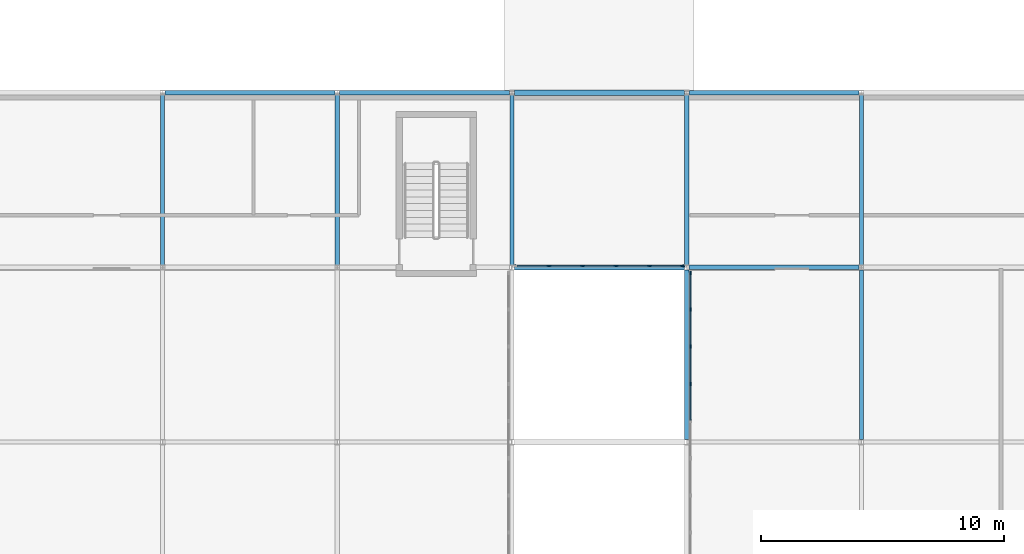
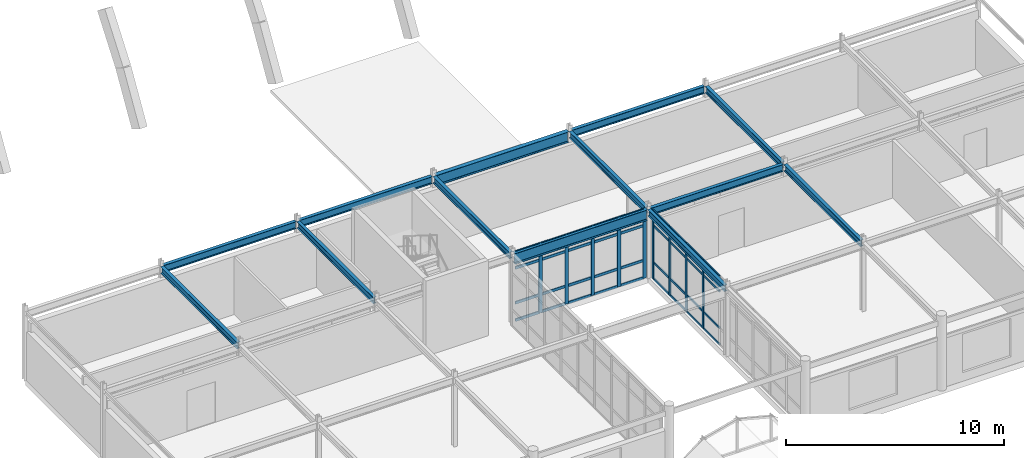
# One storey, part 23 of 85: 45 members, 13 beams, 2 elements without a shape of their own.
"""IFC4 building model written with IfcOpenShell, lengths in metres."""

from ifc_helpers import new_model, si_unit, direction, frame, origin, origin_2d, place, context, subcontext, project, spatial, rectangle, i_section, extrude, material, layer, layer_set, material_profile, profile_set, type_object, element, aggregate, save


model = new_model("IFC4")

# Units and contexts
model_context = context("Model", 3, precision=1e-05, world=origin(), true_north=direction((0.0, 1.0)))
body_context = subcontext(model_context, "Body", "Model", "MODEL_VIEW")
ifc_project = project(units=[si_unit("LENGTHUNIT", "METRE"), si_unit("AREAUNIT", "SQUARE_METRE"), si_unit("VOLUMEUNIT", "CUBIC_METRE"), si_unit("PLANEANGLEUNIT", "RADIAN"), si_unit("MASSUNIT", "GRAM", prefix="KILO")], contexts=[model_context])

# Site, building, storey
site_placement = place(None, origin())
site = spatial("IfcSite", under=ifc_project, at=site_placement, CompositionType="ELEMENT")
building_placement = place(site_placement, origin())
building = spatial("IfcBuilding", under=site, at=building_placement, Name="Ochrevale Crest", CompositionType="ELEMENT")
storey_placement = place(building_placement, frame((0.0, 0.0, 4.5)))
storey = spatial("IfcBuildingStorey", under=building, at=storey_placement, Name="L01", CompositionType="ELEMENT", Elevation=4.5)

# Beams
ifc_material_1 = material(Name="Steel S355", Category="steel")
ifc_material_profile_1 = material_profile(ifc_material_1, i_section(OverallWidth=0.172119140625, OverallDepth=0.358642578125, WebThickness=0.008056640625, FlangeThickness=0.012939453125, FilletRadius=0.011474609375, at=origin_2d()), Name="360UB56.7")
ifc_profile_set_1 = profile_set([ifc_material_profile_1], Name="Steel S355")
beam_type_1 = type_object("IfcBeamType", Name="BM-UB360B", PredefinedType="BEAM", material=ifc_profile_set_1)
for number, where, z_axis, x_axis, name in (
    (1, (64.800048828125, 21.697998046875, 3.69580078125), (0.0, 1.0, 0.0), (-1.0, 0.0, 0.0), "Retail arcade L01 N-S beam X=64.8"),
    (2, (72.0, 21.697998046875, 3.69580078125), (0.0, 1.0, 0.0), (-1.0, 0.0, 0.0), "Retail arcade L01 N-S beam X=72.0"),
    (3, (79.199951171875, 21.697998046875, 3.69580078125), (0.0, 1.0, 0.0), (-1.0, 0.0, 0.0), "Retail arcade L01 N-S beam X=79.2"),
    (4, (86.39990234375, 14.498046875, 3.69580078125), (0.0, 1.0, 0.0), (-1.0, 0.0, 0.0), "Retail arcade L01 N-S beam X=86.4"),
    (5, (86.39990234375, 21.697998046875, 3.69580078125), (0.0, 1.0, 0.0), (-1.0, 0.0, 0.0), "Retail arcade L01 N-S beam X=86.4"),
    (6, (93.60009765625, 14.498046875, 3.69580078125), (0.0, 1.0, 0.0), (-1.0, 0.0, 0.0), "Retail arcade L01 N-S beam X=93.6"),
    (7, (93.60009765625, 21.697998046875, 3.69580078125), (0.0, 1.0, 0.0), (-1.0, 0.0, 0.0), "Retail arcade L01 N-S beam X=93.6"),
):
    element("IfcBeam", number, at=place(storey_placement, frame(where, z_axis=z_axis, x_axis=x_axis)), inside=storey, type_object=beam_type_1, Name=name, PredefinedType="BEAM", context=body_context, shape_type="SweptSolid", body=[
        extrude(i_section(OverallWidth=0.172119140625, OverallDepth=0.358642578125, WebThickness=0.008056640625, FlangeThickness=0.012939453125, FilletRadius=0.011474609375, at=origin_2d()), origin(), (0.0, 0.0, 1.0), 7.00390625),
    ])
ifc_material_profile_2 = material_profile(ifc_material_1, i_section(OverallWidth=0.177734375, OverallDepth=0.402587890625, WebThickness=0.007568359375, FlangeThickness=0.010986328125, FilletRadius=0.011474609375, at=origin_2d()), Name="410UB53.7")
ifc_profile_set_2 = profile_set([ifc_material_profile_2], Name="Steel S355")
beam_type_2 = type_object("IfcBeamType", Name="BM-UB410A", PredefinedType="BEAM", material=ifc_profile_set_2)
beam_1_placement = place(storey_placement, frame((86.498046875, 21.60009765625, 3.673583984375), z_axis=(1.0, 0.0, 0.0), x_axis=(0.0, 1.0, 0.0)))
element("IfcBeam", 8, at=beam_1_placement, inside=storey, type_object=beam_type_2, Name="Retail arcade L01 E-W beam Y=21.6", PredefinedType="BEAM", context=body_context, shape_type="SweptSolid", body=[
    extrude(i_section(OverallWidth=0.177734375, OverallDepth=0.402587890625, WebThickness=0.007568359375, FlangeThickness=0.010986328125, FilletRadius=0.011474609375, at=origin_2d()), origin(), (0.0, 0.0, 1.0), 7.00390625),
])
for number, where, z_axis, x_axis, name in (
    (9, (64.89794921875, 28.800048828125, 3.673583984375), (1.0, 0.0, 0.0), (0.0, 1.0, 0.0), "Retail arcade L01 E-W beam Y=28.8"),
    (10, (72.097900390625, 28.800048828125, 3.673583984375), (1.0, 0.0, 0.0), (0.0, 1.0, 0.0), "Retail arcade L01 E-W beam Y=28.8"),
):
    element("IfcBeam", number, at=place(storey_placement, frame(where, z_axis=z_axis, x_axis=x_axis)), inside=storey, type_object=beam_type_2, Name=name, PredefinedType="BEAM", context=body_context, shape_type="SweptSolid", body=[
        extrude(i_section(OverallWidth=0.177734375, OverallDepth=0.402587890625, WebThickness=0.007568359375, FlangeThickness=0.010986328125, FilletRadius=0.011474609375, at=origin_2d()), origin(), (0.0, 0.0, 1.0), 7.004150390625),
    ])
beam_2_placement = place(storey_placement, frame((86.498046875, 28.800048828125, 3.673583984375), z_axis=(1.0, 0.0, 0.0), x_axis=(0.0, 1.0, 0.0)))
element("IfcBeam", 11, at=beam_2_placement, inside=storey, type_object=beam_type_2, Name="Retail arcade L01 E-W beam Y=28.8", PredefinedType="BEAM", context=body_context, shape_type="SweptSolid", body=[
    extrude(i_section(OverallWidth=0.177734375, OverallDepth=0.402587890625, WebThickness=0.007568359375, FlangeThickness=0.010986328125, FilletRadius=0.011474609375, at=origin_2d()), origin(), (0.0, 0.0, 1.0), 7.00390625),
])
ifc_material_profile_3 = material_profile(ifc_material_1, i_section(OverallWidth=0.22802734375, OverallDepth=0.60205078125, WebThickness=0.010498046875, FlangeThickness=0.014892578125, FilletRadius=0.013916015625, at=origin_2d()), Name="610UB101")
ifc_profile_set_3 = profile_set([ifc_material_profile_3], Name="Steel S355")
beam_type_3 = type_object("IfcBeamType", Name="BM-UB610A", PredefinedType="USERDEFINED", material=ifc_profile_set_3)
for number, where, z_axis, x_axis, name in (
    (12, (79.298095703125, 21.60009765625, 3.573974609375), (1.0, 0.0, 0.0), (0.0, 1.0, 0.0), "Retail arcade L01 E-W beam Y=21.6"),
    (13, (79.298095703125, 28.800048828125, 3.573974609375), (1.0, 0.0, 0.0), (0.0, 1.0, 0.0), "Retail arcade L01 E-W beam Y=28.8"),
):
    element("IfcBeam", number, at=place(storey_placement, frame(where, z_axis=z_axis, x_axis=x_axis)), inside=storey, type_object=beam_type_3, Name=name, ObjectType="GIRDER", PredefinedType="USERDEFINED", context=body_context, shape_type="SweptSolid", body=[
        extrude(i_section(OverallWidth=0.22802734375, OverallDepth=0.60205078125, WebThickness=0.010498046875, FlangeThickness=0.014892578125, FilletRadius=0.013916015625, at=origin_2d()), origin(), (0.0, 0.0, 1.0), 7.00390625),
    ])

# Curtain wall, members
ifc_material_2 = material(Name="Anodised aluminium 6063-T5", Category="aluminium")
ifc_layer_1 = layer(ifc_material_2, 0.14990234375)
ifc_layer_set_1 = layer_set([ifc_layer_1], Name="Anodised aluminium 6063-T5")
curtain_wall_type_1 = type_object("IfcCurtainWallType", Name="CW-LNG-480x385", PredefinedType="NOTDEFINED", material=ifc_layer_set_1)
curtain_wall_1_placement = place(storey_placement, origin())
curtain_wall_1 = element("IfcCurtainWall", 14, at=curtain_wall_1_placement, inside=storey, type_object=curtain_wall_type_1, Name="Upper Arcade E passage overlook curtain wall", PredefinedType="NOTDEFINED")
ifc_material_profile_4 = material_profile(ifc_material_2, rectangle(XDim=0.06494140625, YDim=0.14990234375, at=origin_2d()), Name="ALU 65x150")
ifc_profile_set_4 = profile_set([ifc_material_profile_4], Name="Anodised aluminium 6063-T5")
member_type_1 = type_object("IfcMemberType", Name="CW-MUL-65x150", PredefinedType="MULLION", material=ifc_profile_set_4)
member_1_placement = place(storey_placement, frame((86.550048828125, 16.800048828125, 0.0), z_axis=(0.0, 0.0, 1.0), x_axis=(-1.0, 0.0, 0.0)))
member_1 = element("IfcMember", 15, at=member_1_placement, type_object=member_type_1, Name="CW11 mullion 7", PredefinedType="MULLION", context=body_context, shape_type="SweptSolid", body=[
    extrude(rectangle(XDim=0.06494140625, YDim=0.14990234375, at=origin_2d()), origin(), (0.0, 0.0, 1.0), 3.85009765625),
])
member_2_placement = place(storey_placement, frame((86.550048828125, 18.333251953125, 0.0), z_axis=(0.0, 0.0, 1.0), x_axis=(-1.0, 0.0, 0.0)))
member_2 = element("IfcMember", 16, at=member_2_placement, type_object=member_type_1, Name="CW11 mullion 8", PredefinedType="MULLION", context=body_context, shape_type="SweptSolid", body=[
    extrude(rectangle(XDim=0.06494140625, YDim=0.14990234375, at=origin_2d()), origin(), (0.0, 0.0, 1.0), 3.85009765625),
])
member_3_placement = place(storey_placement, frame((86.550048828125, 19.86669921875, 0.0), z_axis=(0.0, 0.0, 1.0), x_axis=(-1.0, 0.0, 0.0)))
member_3 = element("IfcMember", 17, at=member_3_placement, type_object=member_type_1, Name="CW11 mullion 9", PredefinedType="MULLION", context=body_context, shape_type="SweptSolid", body=[
    extrude(rectangle(XDim=0.06494140625, YDim=0.14990234375, at=origin_2d()), origin(), (0.0, 0.0, 1.0), 3.85009765625),
])
member_4_placement = place(storey_placement, frame((86.550048828125, 21.367431640625, 0.0), z_axis=(0.0, 0.0, 1.0), x_axis=(-1.0, 0.0, 0.0)))
member_4 = element("IfcMember", 18, at=member_4_placement, type_object=member_type_1, Name="CW11 mullion 10", PredefinedType="MULLION", context=body_context, shape_type="SweptSolid", body=[
    extrude(rectangle(XDim=0.06494140625, YDim=0.14990234375, at=origin_2d()), origin(), (0.0, 0.0, 1.0), 3.85009765625),
])

ifc_layer_2 = layer(ifc_material_2, 0.14990234375)
ifc_layer_set_2 = layer_set([ifc_layer_2], Name="Anodised aluminium 6063-T5")
curtain_wall_type_2 = type_object("IfcCurtainWallType", Name="CW-LNG-600x385", PredefinedType="NOTDEFINED", material=ifc_layer_set_2)
curtain_wall_2_placement = place(storey_placement, origin())
curtain_wall_2 = element("IfcCurtainWall", 19, at=curtain_wall_2_placement, inside=storey, type_object=curtain_wall_type_2, Name="Residents Gallery Bridge south curtain wall over public passage", PredefinedType="NOTDEFINED")
ifc_material_profile_5 = material_profile(ifc_material_2, rectangle(XDim=0.06494140625, YDim=0.179931640625, at=origin_2d()), Name="ALU 65x180")
ifc_profile_set_5 = profile_set([ifc_material_profile_5], Name="Anodised aluminium 6063-T5")
member_type_2 = type_object("IfcMemberType", Name="CW-MUL-65x180", PredefinedType="MULLION", material=ifc_profile_set_5)
member_5_placement = place(storey_placement, frame((80.724853515625, 21.64990234375, 0.0), z_axis=(0.0, 0.0, 1.0), x_axis=(0.0, 1.0, 0.0)))
member_5 = element("IfcMember", 20, at=member_5_placement, type_object=member_type_2, Name="CW12 mullion 2", PredefinedType="MULLION", context=body_context, shape_type="SweptSolid", body=[
    extrude(rectangle(XDim=0.06494140625, YDim=0.179931640625, at=origin_2d()), origin(), (0.0, 0.0, 1.0), 3.85009765625),
])
member_6_placement = place(storey_placement, frame((82.1083984375, 21.64990234375, 0.0), z_axis=(0.0, 0.0, 1.0), x_axis=(0.0, 1.0, 0.0)))
member_6 = element("IfcMember", 21, at=member_6_placement, type_object=member_type_2, Name="CW12 mullion 3", PredefinedType="MULLION", context=body_context, shape_type="SweptSolid", body=[
    extrude(rectangle(XDim=0.06494140625, YDim=0.179931640625, at=origin_2d()), origin(), (0.0, 0.0, 1.0), 3.85009765625),
])
member_7_placement = place(storey_placement, frame((83.49169921875, 21.64990234375, 0.0), z_axis=(0.0, 0.0, 1.0), x_axis=(0.0, 1.0, 0.0)))
member_7 = element("IfcMember", 22, at=member_7_placement, type_object=member_type_2, Name="CW12 mullion 4", PredefinedType="MULLION", context=body_context, shape_type="SweptSolid", body=[
    extrude(rectangle(XDim=0.06494140625, YDim=0.179931640625, at=origin_2d()), origin(), (0.0, 0.0, 1.0), 3.85009765625),
])
member_8_placement = place(storey_placement, frame((84.875, 21.64990234375, 0.0), z_axis=(0.0, 0.0, 1.0), x_axis=(0.0, 1.0, 0.0)))
member_8 = element("IfcMember", 23, at=member_8_placement, type_object=member_type_2, Name="CW12 mullion 5", PredefinedType="MULLION", context=body_context, shape_type="SweptSolid", body=[
    extrude(rectangle(XDim=0.06494140625, YDim=0.179931640625, at=origin_2d()), origin(), (0.0, 0.0, 1.0), 3.85009765625),
])
member_9_placement = place(storey_placement, frame((86.225830078125, 21.64990234375, 0.0), z_axis=(0.0, 0.0, 1.0), x_axis=(0.0, 1.0, 0.0)))
member_9 = element("IfcMember", 24, at=member_9_placement, type_object=member_type_2, Name="CW12 mullion 6", PredefinedType="MULLION", context=body_context, shape_type="SweptSolid", body=[
    extrude(rectangle(XDim=0.06494140625, YDim=0.179931640625, at=origin_2d()), origin(), (0.0, 0.0, 1.0), 3.85009765625),
])

# Member
ifc_material_profile_6 = material_profile(ifc_material_2, rectangle(XDim=0.06005859375, YDim=0.1201171875, at=origin_2d()), Name="ALU 60x120")
ifc_profile_set_6 = profile_set([ifc_material_profile_6], Name="Anodised aluminium 6063-T5")
member_type_3 = type_object("IfcMemberType", Name="CW-TRN-60x120", PredefinedType="USERDEFINED", material=ifc_profile_set_6)
member_10_placement = place(storey_placement, frame((86.550048828125, 15.299072265625, 0.030029296875), z_axis=(0.0, 1.0, 0.0), x_axis=(-1.0, 0.0, 0.0)))
member_10 = element("IfcMember", 25, at=member_10_placement, type_object=member_type_3, Name="CW11 transom 6.1", ObjectType="TRANSOM", PredefinedType="USERDEFINED", context=body_context, shape_type="SweptSolid", body=[
    extrude(rectangle(XDim=0.06005859375, YDim=0.1201171875, at=origin_2d()), origin(), (0.0, 0.0, 1.0), 1.468505859375),
])

member_11_placement = place(storey_placement, frame((86.550048828125, 15.299072265625, 0.949951171875), z_axis=(0.0, 1.0, 0.0), x_axis=(-1.0, 0.0, 0.0)))
member_11 = element("IfcMember", 26, at=member_11_placement, type_object=member_type_3, Name="CW11 transom 6.2", ObjectType="TRANSOM", PredefinedType="USERDEFINED", context=body_context, shape_type="SweptSolid", body=[
    extrude(rectangle(XDim=0.06005859375, YDim=0.1201171875, at=origin_2d()), origin(), (0.0, 0.0, 1.0), 1.468505859375),
])

member_12_placement = place(storey_placement, frame((86.550048828125, 15.299072265625, 3.0), z_axis=(0.0, 1.0, 0.0), x_axis=(-1.0, 0.0, 0.0)))
member_12 = element("IfcMember", 27, at=member_12_placement, type_object=member_type_3, Name="CW11 transom 6.3", ObjectType="TRANSOM", PredefinedType="USERDEFINED", context=body_context, shape_type="SweptSolid", body=[
    extrude(rectangle(XDim=0.06005859375, YDim=0.1201171875, at=origin_2d()), origin(), (0.0, 0.0, 1.0), 1.468505859375),
])

member_13_placement = place(storey_placement, frame((86.550048828125, 15.299072265625, 3.820068359375), z_axis=(0.0, 1.0, 0.0), x_axis=(-1.0, 0.0, 0.0)))
member_13 = element("IfcMember", 28, at=member_13_placement, type_object=member_type_3, Name="CW11 transom 6.4", ObjectType="TRANSOM", PredefinedType="USERDEFINED", context=body_context, shape_type="SweptSolid", body=[
    extrude(rectangle(XDim=0.06005859375, YDim=0.1201171875, at=origin_2d()), origin(), (0.0, 0.0, 1.0), 1.468505859375),
])

member_14_placement = place(storey_placement, frame((86.550048828125, 16.83251953125, 0.030029296875), z_axis=(0.0, 1.0, 0.0), x_axis=(-1.0, 0.0, 0.0)))
member_14 = element("IfcMember", 29, at=member_14_placement, type_object=member_type_3, Name="CW11 transom 7.1", ObjectType="TRANSOM", PredefinedType="USERDEFINED", context=body_context, shape_type="SweptSolid", body=[
    extrude(rectangle(XDim=0.06005859375, YDim=0.1201171875, at=origin_2d()), origin(), (0.0, 0.0, 1.0), 1.46826171875),
])

member_15_placement = place(storey_placement, frame((86.550048828125, 16.83251953125, 0.949951171875), z_axis=(0.0, 1.0, 0.0), x_axis=(-1.0, 0.0, 0.0)))
member_15 = element("IfcMember", 30, at=member_15_placement, type_object=member_type_3, Name="CW11 transom 7.2", ObjectType="TRANSOM", PredefinedType="USERDEFINED", context=body_context, shape_type="SweptSolid", body=[
    extrude(rectangle(XDim=0.06005859375, YDim=0.1201171875, at=origin_2d()), origin(), (0.0, 0.0, 1.0), 1.46826171875),
])

member_16_placement = place(storey_placement, frame((86.550048828125, 16.83251953125, 3.0), z_axis=(0.0, 1.0, 0.0), x_axis=(-1.0, 0.0, 0.0)))
member_16 = element("IfcMember", 31, at=member_16_placement, type_object=member_type_3, Name="CW11 transom 7.3", ObjectType="TRANSOM", PredefinedType="USERDEFINED", context=body_context, shape_type="SweptSolid", body=[
    extrude(rectangle(XDim=0.06005859375, YDim=0.1201171875, at=origin_2d()), origin(), (0.0, 0.0, 1.0), 1.46826171875),
])

member_17_placement = place(storey_placement, frame((86.550048828125, 16.83251953125, 3.820068359375), z_axis=(0.0, 1.0, 0.0), x_axis=(-1.0, 0.0, 0.0)))
member_17 = element("IfcMember", 32, at=member_17_placement, type_object=member_type_3, Name="CW11 transom 7.4", ObjectType="TRANSOM", PredefinedType="USERDEFINED", context=body_context, shape_type="SweptSolid", body=[
    extrude(rectangle(XDim=0.06005859375, YDim=0.1201171875, at=origin_2d()), origin(), (0.0, 0.0, 1.0), 1.46826171875),
])

member_18_placement = place(storey_placement, frame((86.550048828125, 18.36572265625, 0.030029296875), z_axis=(0.0, 1.0, 0.0), x_axis=(-1.0, 0.0, 0.0)))
member_18 = element("IfcMember", 33, at=member_18_placement, type_object=member_type_3, Name="CW11 transom 8.1", ObjectType="TRANSOM", PredefinedType="USERDEFINED", context=body_context, shape_type="SweptSolid", body=[
    extrude(rectangle(XDim=0.06005859375, YDim=0.1201171875, at=origin_2d()), origin(), (0.0, 0.0, 1.0), 1.468505859375),
])

member_19_placement = place(storey_placement, frame((86.550048828125, 18.36572265625, 0.949951171875), z_axis=(0.0, 1.0, 0.0), x_axis=(-1.0, 0.0, 0.0)))
member_19 = element("IfcMember", 34, at=member_19_placement, type_object=member_type_3, Name="CW11 transom 8.2", ObjectType="TRANSOM", PredefinedType="USERDEFINED", context=body_context, shape_type="SweptSolid", body=[
    extrude(rectangle(XDim=0.06005859375, YDim=0.1201171875, at=origin_2d()), origin(), (0.0, 0.0, 1.0), 1.468505859375),
])

member_20_placement = place(storey_placement, frame((86.550048828125, 18.36572265625, 3.0), z_axis=(0.0, 1.0, 0.0), x_axis=(-1.0, 0.0, 0.0)))
member_20 = element("IfcMember", 35, at=member_20_placement, type_object=member_type_3, Name="CW11 transom 8.3", ObjectType="TRANSOM", PredefinedType="USERDEFINED", context=body_context, shape_type="SweptSolid", body=[
    extrude(rectangle(XDim=0.06005859375, YDim=0.1201171875, at=origin_2d()), origin(), (0.0, 0.0, 1.0), 1.468505859375),
])

member_21_placement = place(storey_placement, frame((86.550048828125, 18.36572265625, 3.820068359375), z_axis=(0.0, 1.0, 0.0), x_axis=(-1.0, 0.0, 0.0)))
member_21 = element("IfcMember", 36, at=member_21_placement, type_object=member_type_3, Name="CW11 transom 8.4", ObjectType="TRANSOM", PredefinedType="USERDEFINED", context=body_context, shape_type="SweptSolid", body=[
    extrude(rectangle(XDim=0.06005859375, YDim=0.1201171875, at=origin_2d()), origin(), (0.0, 0.0, 1.0), 1.468505859375),
])

member_22_placement = place(storey_placement, frame((86.550048828125, 19.899169921875, 0.030029296875), z_axis=(0.0, 1.0, 0.0), x_axis=(-1.0, 0.0, 0.0)))
member_22 = element("IfcMember", 37, at=member_22_placement, type_object=member_type_3, Name="CW11 transom 9.1", ObjectType="TRANSOM", PredefinedType="USERDEFINED", context=body_context, shape_type="SweptSolid", body=[
    extrude(rectangle(XDim=0.06005859375, YDim=0.1201171875, at=origin_2d()), origin(), (0.0, 0.0, 1.0), 1.435791015625),
])

member_23_placement = place(storey_placement, frame((86.550048828125, 19.899169921875, 0.949951171875), z_axis=(0.0, 1.0, 0.0), x_axis=(-1.0, 0.0, 0.0)))
member_23 = element("IfcMember", 38, at=member_23_placement, type_object=member_type_3, Name="CW11 transom 9.2", ObjectType="TRANSOM", PredefinedType="USERDEFINED", context=body_context, shape_type="SweptSolid", body=[
    extrude(rectangle(XDim=0.06005859375, YDim=0.1201171875, at=origin_2d()), origin(), (0.0, 0.0, 1.0), 1.435791015625),
])

member_24_placement = place(storey_placement, frame((86.550048828125, 19.899169921875, 3.0), z_axis=(0.0, 1.0, 0.0), x_axis=(-1.0, 0.0, 0.0)))
member_24 = element("IfcMember", 39, at=member_24_placement, type_object=member_type_3, Name="CW11 transom 9.3", ObjectType="TRANSOM", PredefinedType="USERDEFINED", context=body_context, shape_type="SweptSolid", body=[
    extrude(rectangle(XDim=0.06005859375, YDim=0.1201171875, at=origin_2d()), origin(), (0.0, 0.0, 1.0), 1.435791015625),
])

member_25_placement = place(storey_placement, frame((86.550048828125, 19.899169921875, 3.820068359375), z_axis=(0.0, 1.0, 0.0), x_axis=(-1.0, 0.0, 0.0)))
member_25 = element("IfcMember", 40, at=member_25_placement, type_object=member_type_3, Name="CW11 transom 9.4", ObjectType="TRANSOM", PredefinedType="USERDEFINED", context=body_context, shape_type="SweptSolid", body=[
    extrude(rectangle(XDim=0.06005859375, YDim=0.1201171875, at=origin_2d()), origin(), (0.0, 0.0, 1.0), 1.435791015625),
])

aggregate(curtain_wall_1, [member_1, member_2, member_3, member_4, member_10, member_11, member_12, member_13, member_14, member_15, member_16, member_17, member_18, member_19, member_20, member_21, member_22, member_23, member_24, member_25])

ifc_material_profile_7 = material_profile(ifc_material_2, rectangle(XDim=0.06005859375, YDim=0.14990234375, at=origin_2d()), Name="ALU 60x150")
ifc_profile_set_7 = profile_set([ifc_material_profile_7], Name="Anodised aluminium 6063-T5")
member_type_4 = type_object("IfcMemberType", Name="CW-TRN-60x150", PredefinedType="USERDEFINED", material=ifc_profile_set_7)
member_26_placement = place(storey_placement, frame((79.406494140625, 21.64990234375, 0.030029296875), z_axis=(1.0, 0.0, 0.0), x_axis=(0.0, 1.0, 0.0)))
member_26 = element("IfcMember", 41, at=member_26_placement, type_object=member_type_4, Name="CW12 transom 1.1", ObjectType="TRANSOM", PredefinedType="USERDEFINED", context=body_context, shape_type="SweptSolid", body=[
    extrude(rectangle(XDim=0.06005859375, YDim=0.14990234375, at=origin_2d()), origin(), (0.0, 0.0, 1.0), 1.285888671875),
])

member_27_placement = place(storey_placement, frame((79.406494140625, 21.64990234375, 1.0), z_axis=(1.0, 0.0, 0.0), x_axis=(0.0, 1.0, 0.0)))
member_27 = element("IfcMember", 42, at=member_27_placement, type_object=member_type_4, Name="CW12 transom 1.2", ObjectType="TRANSOM", PredefinedType="USERDEFINED", context=body_context, shape_type="SweptSolid", body=[
    extrude(rectangle(XDim=0.06005859375, YDim=0.14990234375, at=origin_2d()), origin(), (0.0, 0.0, 1.0), 1.285888671875),
])

member_28_placement = place(storey_placement, frame((79.406494140625, 21.64990234375, 2.949951171875), z_axis=(1.0, 0.0, 0.0), x_axis=(0.0, 1.0, 0.0)))
member_28 = element("IfcMember", 43, at=member_28_placement, type_object=member_type_4, Name="CW12 transom 1.3", ObjectType="TRANSOM", PredefinedType="USERDEFINED", context=body_context, shape_type="SweptSolid", body=[
    extrude(rectangle(XDim=0.06005859375, YDim=0.14990234375, at=origin_2d()), origin(), (0.0, 0.0, 1.0), 1.285888671875),
])

member_29_placement = place(storey_placement, frame((79.406494140625, 21.64990234375, 3.820068359375), z_axis=(1.0, 0.0, 0.0), x_axis=(0.0, 1.0, 0.0)))
member_29 = element("IfcMember", 44, at=member_29_placement, type_object=member_type_4, Name="CW12 transom 1.4", ObjectType="TRANSOM", PredefinedType="USERDEFINED", context=body_context, shape_type="SweptSolid", body=[
    extrude(rectangle(XDim=0.06005859375, YDim=0.14990234375, at=origin_2d()), origin(), (0.0, 0.0, 1.0), 1.285888671875),
])

member_30_placement = place(storey_placement, frame((80.757568359375, 21.64990234375, 0.030029296875), z_axis=(1.0, 0.0, 0.0), x_axis=(0.0, 1.0, 0.0)))
member_30 = element("IfcMember", 45, at=member_30_placement, type_object=member_type_4, Name="CW12 transom 2.1", ObjectType="TRANSOM", PredefinedType="USERDEFINED", context=body_context, shape_type="SweptSolid", body=[
    extrude(rectangle(XDim=0.06005859375, YDim=0.14990234375, at=origin_2d()), origin(), (0.0, 0.0, 1.0), 1.318359375),
])

member_31_placement = place(storey_placement, frame((80.757568359375, 21.64990234375, 1.0), z_axis=(1.0, 0.0, 0.0), x_axis=(0.0, 1.0, 0.0)))
member_31 = element("IfcMember", 46, at=member_31_placement, type_object=member_type_4, Name="CW12 transom 2.2", ObjectType="TRANSOM", PredefinedType="USERDEFINED", context=body_context, shape_type="SweptSolid", body=[
    extrude(rectangle(XDim=0.06005859375, YDim=0.14990234375, at=origin_2d()), origin(), (0.0, 0.0, 1.0), 1.318359375),
])

member_32_placement = place(storey_placement, frame((80.757568359375, 21.64990234375, 2.949951171875), z_axis=(1.0, 0.0, 0.0), x_axis=(0.0, 1.0, 0.0)))
member_32 = element("IfcMember", 47, at=member_32_placement, type_object=member_type_4, Name="CW12 transom 2.3", ObjectType="TRANSOM", PredefinedType="USERDEFINED", context=body_context, shape_type="SweptSolid", body=[
    extrude(rectangle(XDim=0.06005859375, YDim=0.14990234375, at=origin_2d()), origin(), (0.0, 0.0, 1.0), 1.318359375),
])

member_33_placement = place(storey_placement, frame((80.757568359375, 21.64990234375, 3.820068359375), z_axis=(1.0, 0.0, 0.0), x_axis=(0.0, 1.0, 0.0)))
member_33 = element("IfcMember", 48, at=member_33_placement, type_object=member_type_4, Name="CW12 transom 2.4", ObjectType="TRANSOM", PredefinedType="USERDEFINED", context=body_context, shape_type="SweptSolid", body=[
    extrude(rectangle(XDim=0.06005859375, YDim=0.14990234375, at=origin_2d()), origin(), (0.0, 0.0, 1.0), 1.318359375),
])

member_34_placement = place(storey_placement, frame((82.140869140625, 21.64990234375, 0.030029296875), z_axis=(1.0, 0.0, 0.0), x_axis=(0.0, 1.0, 0.0)))
member_34 = element("IfcMember", 49, at=member_34_placement, type_object=member_type_4, Name="CW12 transom 3.1", ObjectType="TRANSOM", PredefinedType="USERDEFINED", context=body_context, shape_type="SweptSolid", body=[
    extrude(rectangle(XDim=0.06005859375, YDim=0.14990234375, at=origin_2d()), origin(), (0.0, 0.0, 1.0), 1.318359375),
])

member_35_placement = place(storey_placement, frame((82.140869140625, 21.64990234375, 1.0), z_axis=(1.0, 0.0, 0.0), x_axis=(0.0, 1.0, 0.0)))
member_35 = element("IfcMember", 50, at=member_35_placement, type_object=member_type_4, Name="CW12 transom 3.2", ObjectType="TRANSOM", PredefinedType="USERDEFINED", context=body_context, shape_type="SweptSolid", body=[
    extrude(rectangle(XDim=0.06005859375, YDim=0.14990234375, at=origin_2d()), origin(), (0.0, 0.0, 1.0), 1.318359375),
])

member_36_placement = place(storey_placement, frame((82.140869140625, 21.64990234375, 2.949951171875), z_axis=(1.0, 0.0, 0.0), x_axis=(0.0, 1.0, 0.0)))
member_36 = element("IfcMember", 51, at=member_36_placement, type_object=member_type_4, Name="CW12 transom 3.3", ObjectType="TRANSOM", PredefinedType="USERDEFINED", context=body_context, shape_type="SweptSolid", body=[
    extrude(rectangle(XDim=0.06005859375, YDim=0.14990234375, at=origin_2d()), origin(), (0.0, 0.0, 1.0), 1.318359375),
])

member_37_placement = place(storey_placement, frame((82.140869140625, 21.64990234375, 3.820068359375), z_axis=(1.0, 0.0, 0.0), x_axis=(0.0, 1.0, 0.0)))
member_37 = element("IfcMember", 52, at=member_37_placement, type_object=member_type_4, Name="CW12 transom 3.4", ObjectType="TRANSOM", PredefinedType="USERDEFINED", context=body_context, shape_type="SweptSolid", body=[
    extrude(rectangle(XDim=0.06005859375, YDim=0.14990234375, at=origin_2d()), origin(), (0.0, 0.0, 1.0), 1.318359375),
])

member_38_placement = place(storey_placement, frame((83.524169921875, 21.64990234375, 0.030029296875), z_axis=(1.0, 0.0, 0.0), x_axis=(0.0, 1.0, 0.0)))
member_38 = element("IfcMember", 53, at=member_38_placement, type_object=member_type_4, Name="CW12 transom 4.1", ObjectType="TRANSOM", PredefinedType="USERDEFINED", context=body_context, shape_type="SweptSolid", body=[
    extrude(rectangle(XDim=0.06005859375, YDim=0.14990234375, at=origin_2d()), origin(), (0.0, 0.0, 1.0), 1.318359375),
])

member_39_placement = place(storey_placement, frame((83.524169921875, 21.64990234375, 1.0), z_axis=(1.0, 0.0, 0.0), x_axis=(0.0, 1.0, 0.0)))
member_39 = element("IfcMember", 54, at=member_39_placement, type_object=member_type_4, Name="CW12 transom 4.2", ObjectType="TRANSOM", PredefinedType="USERDEFINED", context=body_context, shape_type="SweptSolid", body=[
    extrude(rectangle(XDim=0.06005859375, YDim=0.14990234375, at=origin_2d()), origin(), (0.0, 0.0, 1.0), 1.318359375),
])

member_40_placement = place(storey_placement, frame((83.524169921875, 21.64990234375, 2.949951171875), z_axis=(1.0, 0.0, 0.0), x_axis=(0.0, 1.0, 0.0)))
member_40 = element("IfcMember", 55, at=member_40_placement, type_object=member_type_4, Name="CW12 transom 4.3", ObjectType="TRANSOM", PredefinedType="USERDEFINED", context=body_context, shape_type="SweptSolid", body=[
    extrude(rectangle(XDim=0.06005859375, YDim=0.14990234375, at=origin_2d()), origin(), (0.0, 0.0, 1.0), 1.318359375),
])

member_41_placement = place(storey_placement, frame((83.524169921875, 21.64990234375, 3.820068359375), z_axis=(1.0, 0.0, 0.0), x_axis=(0.0, 1.0, 0.0)))
member_41 = element("IfcMember", 56, at=member_41_placement, type_object=member_type_4, Name="CW12 transom 4.4", ObjectType="TRANSOM", PredefinedType="USERDEFINED", context=body_context, shape_type="SweptSolid", body=[
    extrude(rectangle(XDim=0.06005859375, YDim=0.14990234375, at=origin_2d()), origin(), (0.0, 0.0, 1.0), 1.318359375),
])

member_42_placement = place(storey_placement, frame((84.907470703125, 21.64990234375, 0.030029296875), z_axis=(1.0, 0.0, 0.0), x_axis=(0.0, 1.0, 0.0)))
member_42 = element("IfcMember", 57, at=member_42_placement, type_object=member_type_4, Name="CW12 transom 5.1", ObjectType="TRANSOM", PredefinedType="USERDEFINED", context=body_context, shape_type="SweptSolid", body=[
    extrude(rectangle(XDim=0.06005859375, YDim=0.14990234375, at=origin_2d()), origin(), (0.0, 0.0, 1.0), 1.285888671875),
])

member_43_placement = place(storey_placement, frame((84.907470703125, 21.64990234375, 1.0), z_axis=(1.0, 0.0, 0.0), x_axis=(0.0, 1.0, 0.0)))
member_43 = element("IfcMember", 58, at=member_43_placement, type_object=member_type_4, Name="CW12 transom 5.2", ObjectType="TRANSOM", PredefinedType="USERDEFINED", context=body_context, shape_type="SweptSolid", body=[
    extrude(rectangle(XDim=0.06005859375, YDim=0.14990234375, at=origin_2d()), origin(), (0.0, 0.0, 1.0), 1.285888671875),
])

member_44_placement = place(storey_placement, frame((84.907470703125, 21.64990234375, 2.949951171875), z_axis=(1.0, 0.0, 0.0), x_axis=(0.0, 1.0, 0.0)))
member_44 = element("IfcMember", 59, at=member_44_placement, type_object=member_type_4, Name="CW12 transom 5.3", ObjectType="TRANSOM", PredefinedType="USERDEFINED", context=body_context, shape_type="SweptSolid", body=[
    extrude(rectangle(XDim=0.06005859375, YDim=0.14990234375, at=origin_2d()), origin(), (0.0, 0.0, 1.0), 1.285888671875),
])

member_45_placement = place(storey_placement, frame((84.907470703125, 21.64990234375, 3.820068359375), z_axis=(1.0, 0.0, 0.0), x_axis=(0.0, 1.0, 0.0)))
member_45 = element("IfcMember", 60, at=member_45_placement, type_object=member_type_4, Name="CW12 transom 5.4", ObjectType="TRANSOM", PredefinedType="USERDEFINED", context=body_context, shape_type="SweptSolid", body=[
    extrude(rectangle(XDim=0.06005859375, YDim=0.14990234375, at=origin_2d()), origin(), (0.0, 0.0, 1.0), 1.285888671875),
])

aggregate(curtain_wall_2, [member_5, member_6, member_7, member_8, member_9, member_26, member_27, member_28, member_29, member_30, member_31, member_32, member_33, member_34, member_35, member_36, member_37, member_38, member_39, member_40, member_41, member_42, member_43, member_44, member_45])

save(model, "model.ifc")
